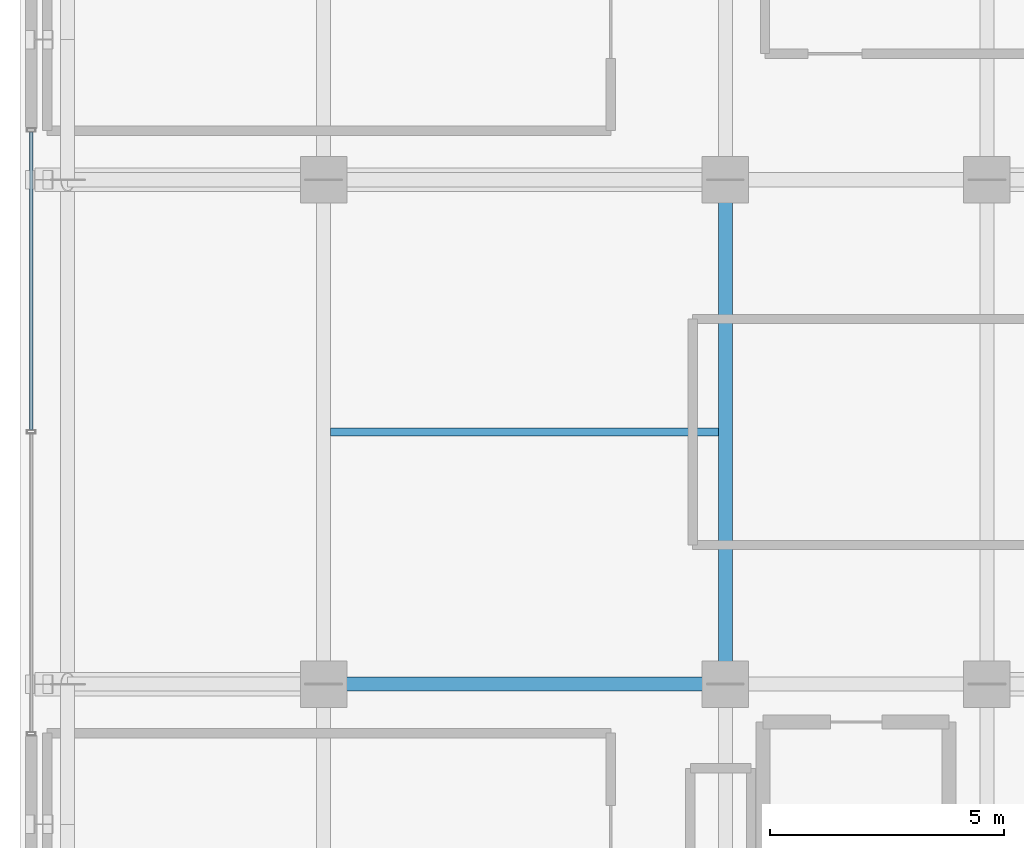
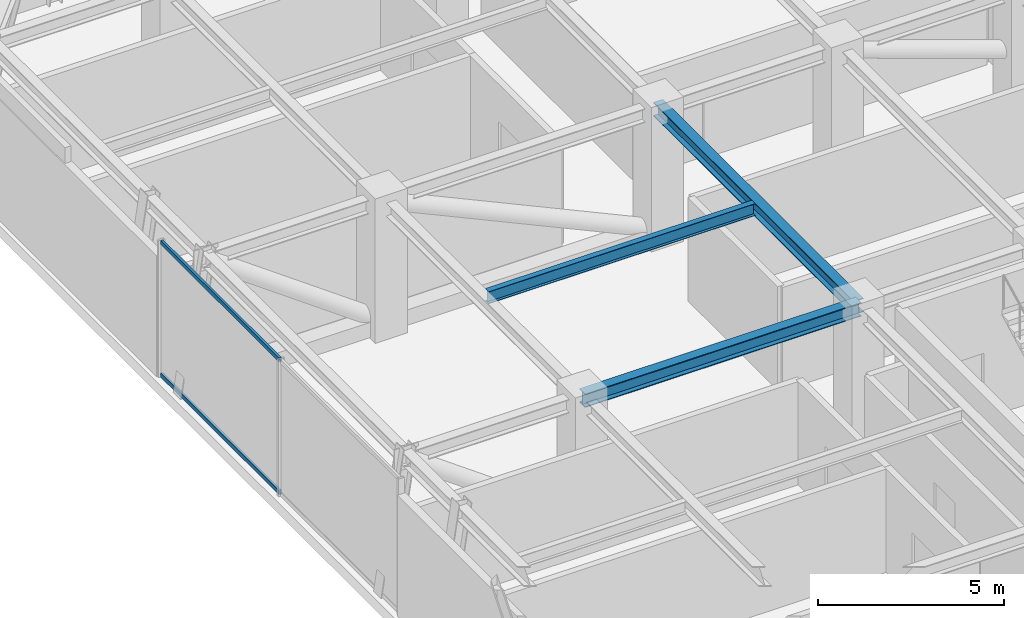
# One storey, part 3 of 15: 3 beams, 2 members, 1 element without a shape of its own.
"""IFC4 building model written with IfcOpenShell, lengths in metres."""

from ifc_helpers import new_model, si_unit, direction, frame, origin, origin_2d, place, context, subcontext, project, spatial, hollow_rectangle, i_section, extrude, source, transform, mapped, material, material_profile, profile_set, type_object, element, aggregate, save


model = new_model("IFC4")

# Units and contexts
model_context = context("Model", 3, precision=1e-05, world=origin(), true_north=direction((0.0, 1.0)))
body_context = subcontext(model_context, "Body", "Model", "MODEL_VIEW")
ifc_project = project(units=[si_unit("LENGTHUNIT", "METRE"), si_unit("AREAUNIT", "SQUARE_METRE"), si_unit("VOLUMEUNIT", "CUBIC_METRE"), si_unit("PLANEANGLEUNIT", "RADIAN"), si_unit("MASSUNIT", "GRAM", prefix="KILO")], contexts=[model_context])

# Site, building, storey
site_placement = place(None, origin())
site = spatial("IfcSite", under=ifc_project, at=site_placement, CompositionType="ELEMENT")
building_placement = place(site_placement, origin())
building = spatial("IfcBuilding", under=site, at=building_placement, Name="Nahalor Promenade Grand Hotel", CompositionType="ELEMENT")
storey_placement = place(building_placement, frame((0.0, 0.0, 261.5)))
storey = spatial("IfcBuildingStorey", under=building, at=storey_placement, Name="L67", CompositionType="ELEMENT", Elevation=261.5)

# Beams
ifc_material_1 = material(Name="Steel S355JR", Category="steel")
ifc_material_profile_1 = material_profile(ifc_material_1, i_section(OverallWidth=0.3, OverallDepth=0.45, WebThickness=0.014, FlangeThickness=0.026, at=origin_2d()), Name="HEB 450")
ifc_profile_set_1 = profile_set([ifc_material_profile_1], Name="Steel S355JR")
beam_type_1 = type_object("IfcBeamType", Name="Beam-Girder-HEB450", PredefinedType="BEAM", material=ifc_profile_set_1)
shared_shape_1 = source(origin(), body_context, "Body", "SweptSolid", [
    extrude(i_section(OverallWidth=0.3, OverallDepth=0.45, WebThickness=0.014, FlangeThickness=0.026, at=origin_2d()), origin(), (0.0, 0.0, 1.0), 8.60009765625),
])
beam_1_placement = place(storey_placement, frame((-17.0, -5.39990234375, 4.27490234375), z_axis=(1.0, 0.0, 0.0), x_axis=(0.0, 1.0, 0.0)))
element("IfcBeam", 1, at=beam_1_placement, inside=storey, type_object=beam_type_1, Name="BM-L67-GX-1-1", PredefinedType="BEAM", context=body_context, shape_type="MappedRepresentation", body=[
    mapped(shared_shape_1, transform((0.0, 0.0, 0.0), scale=1.0)),
])
shared_shape_2 = source(origin(), body_context, "Body", "SweptSolid", [
    extrude(i_section(OverallWidth=0.3, OverallDepth=0.45, WebThickness=0.014, FlangeThickness=0.026, at=origin_2d()), origin(), (0.0, 0.0, 1.0), 10.7998046875),
])
beam_2_placement = place(storey_placement, frame((-8.39990234375, -5.39990234375, 4.27490234375), z_axis=(0.0, 1.0, 0.0), x_axis=(-1.0, 0.0, 0.0)))
element("IfcBeam", 2, at=beam_2_placement, inside=storey, type_object=beam_type_1, Name="BM-L67-GY-1-2", PredefinedType="BEAM", context=body_context, shape_type="MappedRepresentation", body=[
    mapped(shared_shape_2, transform((0.0, 0.0, 0.0), scale=1.0)),
])
ifc_material_profile_2 = material_profile(ifc_material_1, i_section(OverallWidth=0.18, OverallDepth=0.4, WebThickness=0.0086, FlangeThickness=0.0135, at=origin_2d()), Name="IPE 400")
ifc_profile_set_2 = profile_set([ifc_material_profile_2], Name="Steel S355JR")
beam_type_2 = type_object("IfcBeamType", Name="Beam-Joist-IPE400", PredefinedType="JOIST", material=ifc_profile_set_2)
shared_shape_3 = source(origin(), body_context, "Body", "SweptSolid", [
    extrude(i_section(OverallWidth=0.18, OverallDepth=0.4, WebThickness=0.0086, FlangeThickness=0.0135, at=origin_2d()), origin(), (0.0, 0.0, 1.0), 8.300048828125),
])
beam_3_placement = place(storey_placement, frame((-16.85009765625, 0.0, 4.300048828125), z_axis=(1.0, 0.0, 0.0), x_axis=(0.0, 1.0, 0.0)))
element("IfcBeam", 3, at=beam_3_placement, inside=storey, type_object=beam_type_2, Name="BM-L67-JSC-0", PredefinedType="JOIST", context=body_context, shape_type="MappedRepresentation", body=[
    mapped(shared_shape_3, transform((0.0, 0.0, 0.0), scale=1.0)),
])

# Curtain wall, members
ifc_material_2 = material(Name="Anodised Bronze Aluminium EN AW-6063 T6", Category="aluminium")
curtain_wall_type = type_object("IfcCurtainWallType", Name="CW6 Crown Botanical Conservatory Curtain Wall", PredefinedType="USERDEFINED", material=ifc_material_2)
curtain_wall_placement = place(storey_placement, origin())
curtain_wall = element("IfcCurtainWall", 4, at=curtain_wall_placement, inside=storey, type_object=curtain_wall_type, Name="L67 Curtain Wall CW-L67-W", ObjectType="UNITISED_CURTAIN_WALL", PredefinedType="USERDEFINED")
ifc_material_profile_3 = material_profile(ifc_material_2, hollow_rectangle(XDim=0.075, YDim=0.135, WallThickness=0.004, at=origin_2d()), Name="CWT 75x135x4")
ifc_profile_set_3 = profile_set([ifc_material_profile_3], Name="Anodised Bronze Aluminium EN AW-6063 T6")
member_type = type_object("IfcMemberType", Name="CWT6 Conservatory Transom 75x135", PredefinedType="USERDEFINED", material=ifc_profile_set_3)
shared_shape_4 = source(origin(), body_context, "Body", "SweptSolid", [
    extrude(hollow_rectangle(XDim=0.075, YDim=0.135, WallThickness=0.004, at=origin_2d()), origin(), (0.0, 0.0, 1.0), 6.387451171875),
])
member_1_placement = place(storey_placement, frame((-23.260009765625, 0.03759765625, 0.0673828125), z_axis=(0.0, 1.0, 0.0), x_axis=(-1.0, 0.0, 0.0)))
member_1 = element("IfcMember", 5, at=member_1_placement, type_object=member_type, Name="CW-L67-W Transom 1-0", ObjectType="TRANSOM", PredefinedType="USERDEFINED", context=body_context, shape_type="MappedRepresentation", body=[
    mapped(shared_shape_4, transform((0.0, 0.0, 0.0), scale=1.0)),
])
member_2_placement = place(storey_placement, frame((-23.260009765625, 0.03759765625, 4.4326171875), z_axis=(0.0, 1.0, 0.0), x_axis=(-1.0, 0.0, 0.0)))
member_2 = element("IfcMember", 6, at=member_2_placement, type_object=member_type, Name="CW-L67-W Transom 1-1", ObjectType="TRANSOM", PredefinedType="USERDEFINED", context=body_context, shape_type="MappedRepresentation", body=[
    mapped(shared_shape_4, transform((0.0, 0.0, 0.0), scale=1.0)),
])
aggregate(curtain_wall, [member_1, member_2])

save(model, "model.ifc")
